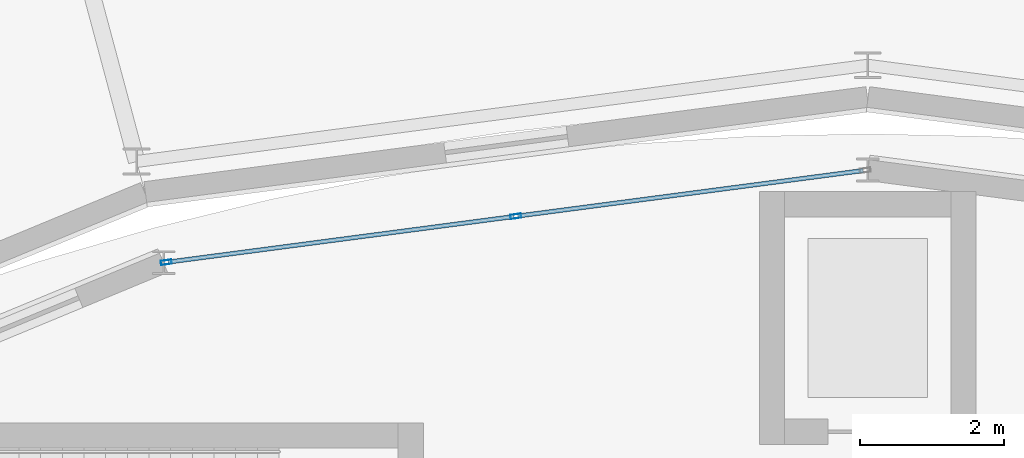
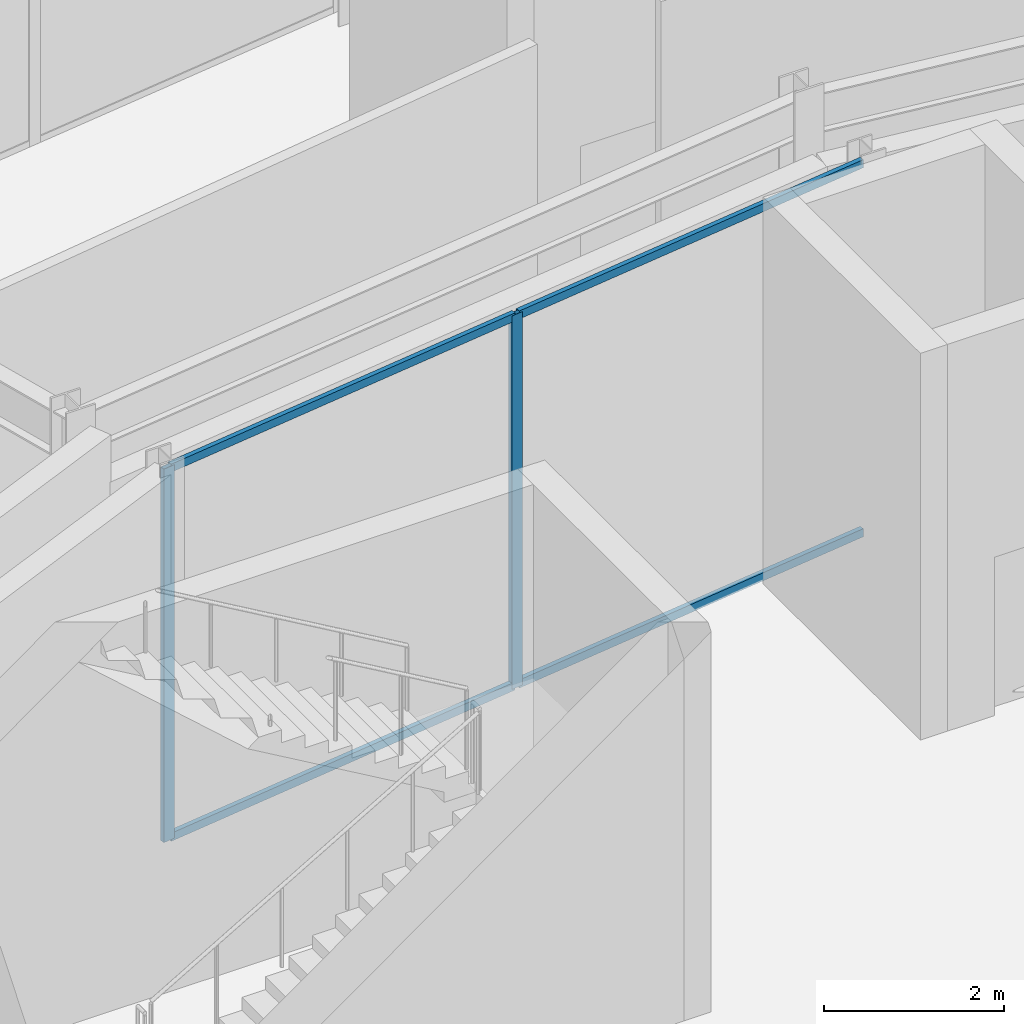
# One storey, part 80 of 168: 6 members, 1 element without a shape of its own.
"""IFC4 building model written with IfcOpenShell, lengths in metres."""

from ifc_helpers import new_model, si_unit, direction, frame, origin, origin_2d, place, context, subcontext, project, spatial, hollow_rectangle, extrude, material, material_profile, profile_set, type_object, element, aggregate, save


model = new_model("IFC4")

# Units and contexts
model_context = context("Model", 3, precision=1e-05, world=origin(), true_north=direction((0.0, 1.0)))
body_context = subcontext(model_context, "Body", "Model", "MODEL_VIEW")
ifc_project = project(units=[si_unit("LENGTHUNIT", "METRE"), si_unit("AREAUNIT", "SQUARE_METRE"), si_unit("VOLUMEUNIT", "CUBIC_METRE"), si_unit("PLANEANGLEUNIT", "RADIAN"), si_unit("MASSUNIT", "GRAM", prefix="KILO")], contexts=[model_context])

# Site, building, storey
site_placement = place(None, origin())
site = spatial("IfcSite", under=ifc_project, at=site_placement, CompositionType="ELEMENT")
building_placement = place(site_placement, origin())
building = spatial("IfcBuilding", under=site, at=building_placement, Name="Almandine Court Research Institute", CompositionType="ELEMENT")
storey_placement = place(building_placement, origin())
storey = spatial("IfcBuildingStorey", under=building, at=storey_placement, Name="L00", CompositionType="ELEMENT", Elevation=0.0)

# Curtain wall, members
ifc_material_1 = material(Name="Unitised Curtain Wall Framing and Solar Glazing", Category="glass")
curtain_wall_type = type_object("IfcCurtainWallType", Name="CW-CWG-23", PredefinedType="USERDEFINED", material=ifc_material_1)
curtain_wall_placement = place(storey_placement, origin())
curtain_wall = element("IfcCurtainWall", 1, at=curtain_wall_placement, inside=storey, type_object=curtain_wall_type, Name="L00 Interaction Atrium Perimeter Curtain Wall 06", ObjectType="UNITISED GLAZING", PredefinedType="USERDEFINED")
ifc_material_2 = material(Name="Anodised Aluminium AW-6063-T6", Category="aluminium")
ifc_material_profile_1 = material_profile(ifc_material_2, hollow_rectangle(XDim=0.06005859375, YDim=0.14990234375, WallThickness=0.00390625, at=origin_2d()), Name="ALU RHS 60x150x4")
ifc_profile_set_1 = profile_set([ifc_material_profile_1], Name="Anodised Aluminium AW-6063-T6")
member_type_1 = type_object("IfcMemberType", Name="CWMul-60x150", PredefinedType="MULLION", material=ifc_profile_set_1)
member_1_placement = place(storey_placement, frame((77.288818359375, 92.371826171875, 0.0), z_axis=(0.0, 0.0, 1.0), x_axis=(-0.130536164028, 0.991443548509, 0.0)))
member_1 = element("IfcMember", 2, at=member_1_placement, type_object=member_type_1, Name="CWG-23 mullion 1", PredefinedType="MULLION", context=body_context, shape_type="SweptSolid", body=[
    extrude(hollow_rectangle(XDim=0.06005859375, YDim=0.14990234375, WallThickness=0.00390625, at=origin_2d()), origin(), (0.0, 0.0, 1.0), 5.070068359375),
])
member_2_placement = place(storey_placement, frame((82.12744140625, 93.009033203125, 0.0), z_axis=(0.0, 0.0, 1.0), x_axis=(-0.130536164028, 0.991443548509, 0.0)))
member_2 = element("IfcMember", 3, at=member_2_placement, type_object=member_type_1, Name="CWG-23 mullion 2", PredefinedType="MULLION", context=body_context, shape_type="SweptSolid", body=[
    extrude(hollow_rectangle(XDim=0.06005859375, YDim=0.14990234375, WallThickness=0.00390625, at=origin_2d()), origin(), (0.0, 0.0, 1.0), 5.070068359375),
])
ifc_material_profile_2 = material_profile(ifc_material_2, hollow_rectangle(XDim=0.06005859375, YDim=0.110107421875, WallThickness=0.00390625, at=origin_2d()), Name="ALU RHS 60x110x4")
ifc_profile_set_2 = profile_set([ifc_material_profile_2], Name="Anodised Aluminium AW-6063-T6")
member_type_2 = type_object("IfcMemberType", Name="CWTrn-60x110", PredefinedType="NOTDEFINED", material=ifc_profile_set_2)
member_3_placement = place(storey_placement, frame((77.318603515625, 92.375732421875, 0.030029296875), z_axis=(0.991438945963, 0.130571116357, 0.0), x_axis=(-0.130571116357, 0.991438945963, 0.0)))
member_3 = element("IfcMember", 4, at=member_3_placement, type_object=member_type_2, Name="CWG-23 transom 1.1", ObjectType="TRANSOM", PredefinedType="USERDEFINED", context=body_context, shape_type="SweptSolid", body=[
    extrude(hollow_rectangle(XDim=0.06005859375, YDim=0.110107421875, WallThickness=0.00390625, at=origin_2d()), origin(), (0.0, 0.0, 1.0), 4.8203125),
])
member_4_placement = place(storey_placement, frame((77.318603515625, 92.375732421875, 5.0400390625), z_axis=(0.991438945963, 0.130571116357, 0.0), x_axis=(-0.130571116357, 0.991438945963, 0.0)))
member_4 = element("IfcMember", 5, at=member_4_placement, type_object=member_type_2, Name="CWG-23 transom 1.2", ObjectType="TRANSOM", PredefinedType="USERDEFINED", context=body_context, shape_type="SweptSolid", body=[
    extrude(hollow_rectangle(XDim=0.06005859375, YDim=0.110107421875, WallThickness=0.00390625, at=origin_2d()), origin(), (0.0, 0.0, 1.0), 4.8203125),
])
member_5_placement = place(storey_placement, frame((82.1572265625, 93.012939453125, 0.030029296875), z_axis=(0.99144636411, 0.130514777294, 0.0), x_axis=(-0.130514777294, 0.99144636411, 0.0)))
member_5 = element("IfcMember", 6, at=member_5_placement, type_object=member_type_2, Name="CWG-23 transom 2.1", ObjectType="TRANSOM", PredefinedType="USERDEFINED", context=body_context, shape_type="SweptSolid", body=[
    extrude(hollow_rectangle(XDim=0.06005859375, YDim=0.110107421875, WallThickness=0.00390625, at=origin_2d()), origin(), (0.0, 0.0, 1.0), 4.820556640625),
])
member_6_placement = place(storey_placement, frame((82.1572265625, 93.012939453125, 5.0400390625), z_axis=(0.99144636411, 0.130514777294, 0.0), x_axis=(-0.130514777294, 0.99144636411, 0.0)))
member_6 = element("IfcMember", 7, at=member_6_placement, type_object=member_type_2, Name="CWG-23 transom 2.2", ObjectType="TRANSOM", PredefinedType="USERDEFINED", context=body_context, shape_type="SweptSolid", body=[
    extrude(hollow_rectangle(XDim=0.06005859375, YDim=0.110107421875, WallThickness=0.00390625, at=origin_2d()), origin(), (0.0, 0.0, 1.0), 4.820556640625),
])
aggregate(curtain_wall, [member_1, member_2, member_3, member_4, member_5, member_6])

save(model, "model.ifc")
